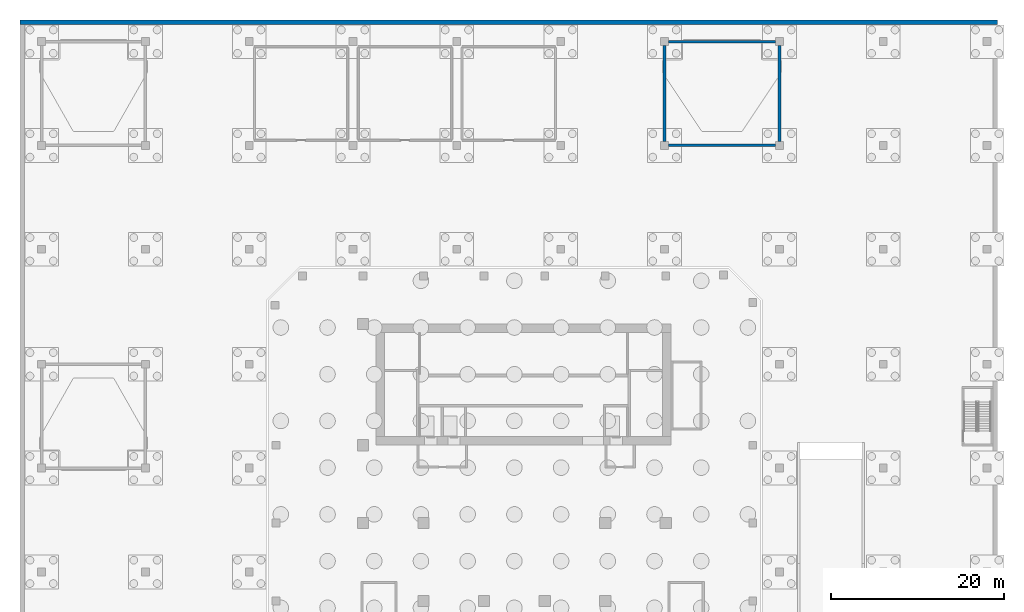
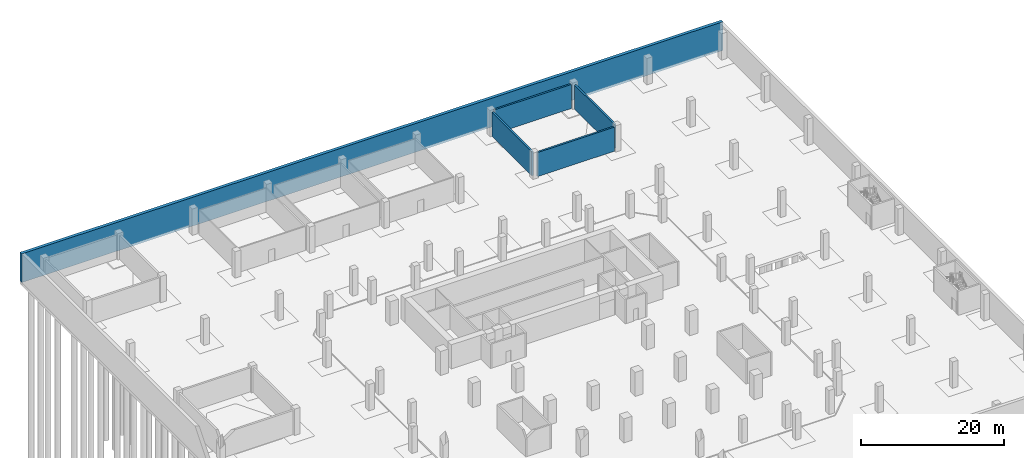
# One storey, part 12 of 15: 5 walls.
"""IFC4 building model written with IfcOpenShell, lengths in metres."""

from ifc_helpers import new_model, si_unit, direction, frame, frame_2d, origin, place, context, subcontext, project, spatial, rectangle, extrude, source, transform, mapped, material, layer, layer_set, type_object, element, save


model = new_model("IFC4")

# Units and contexts
model_context = context("Model", 3, precision=1e-05, world=origin(), true_north=direction((0.0, 1.0)))
body_context = subcontext(model_context, "Body", "Model", "MODEL_VIEW")
ifc_project = project(units=[si_unit("LENGTHUNIT", "METRE"), si_unit("AREAUNIT", "SQUARE_METRE"), si_unit("VOLUMEUNIT", "CUBIC_METRE"), si_unit("PLANEANGLEUNIT", "RADIAN"), si_unit("MASSUNIT", "GRAM", prefix="KILO")], contexts=[model_context])

# Site, building, storey
site_placement = place(None, origin())
site = spatial("IfcSite", under=ifc_project, at=site_placement, CompositionType="ELEMENT")
building_placement = place(site_placement, origin())
building = spatial("IfcBuilding", under=site, at=building_placement, Name="Kilnfold Tower and Market Hall", CompositionType="ELEMENT")
storey_placement = place(building_placement, frame((0.0, 0.0, -9.0)))
storey = spatial("IfcBuildingStorey", under=building, at=storey_placement, Name="B2", CompositionType="ELEMENT", Elevation=-9.0)

# Walls
ifc_material_1 = material(Name="Concrete C50/60", Category="concrete")
ifc_layer_1 = layer(ifc_material_1, 0.300048828125)
ifc_layer_set_1 = layer_set([ifc_layer_1], Name="Concrete C50/60")
wall_type_1 = type_object("IfcWallType", Name="HALL CORE WALL 300", PredefinedType="SHEAR", material=ifc_layer_set_1)
shared_shape_1 = source(origin(), body_context, "Body", "SweptSolid", [
    extrude(rectangle(XDim=11.099853515625, YDim=0.300048828125, at=frame_2d((5.5498046875, 0.0))), origin(), (0.0, 0.0, 1.0), 4.10009765625),
])
for number, where, z_axis, x_axis, name in (
    (1, (30.64990234375, 54.199951171875, 0.0), (0.0, 0.0, 1.0), (0.0, -1.0, 0.0), "Core wall MH3"),
    (2, (17.35009765625, 54.199951171875, 0.0), (0.0, 0.0, 1.0), (0.0, -1.0, 0.0), "Core wall MH3"),
):
    element("IfcWall", number, at=place(storey_placement, frame(where, z_axis=z_axis, x_axis=x_axis)), inside=storey, type_object=wall_type_1, Name=name, PredefinedType="SHEAR", context=body_context, shape_type="MappedRepresentation", body=[
        mapped(shared_shape_1, transform((0.0, 0.0, 0.0))),
    ])
shared_shape_2 = source(origin(), body_context, "Body", "SweptSolid", [
    extrude(rectangle(XDim=12.39990234375, YDim=0.300048828125, at=frame_2d((6.199951171875, 0.0))), origin(), (0.0, 0.0, 1.0), 4.10009765625),
])
for number, where, z_axis, x_axis, name in (
    (3, (30.199951171875, 54.64990234375, 0.0), (0.0, 0.0, 1.0), (-1.0, 0.0, 0.0), "Core wall MH3"),
    (4, (30.199951171875, 42.64990234375, 0.0), (0.0, 0.0, 1.0), (-1.0, 0.0, 0.0), "Core wall MH3"),
):
    element("IfcWall", number, at=place(storey_placement, frame(where, z_axis=z_axis, x_axis=x_axis)), inside=storey, type_object=wall_type_1, Name=name, PredefinedType="SHEAR", context=body_context, shape_type="MappedRepresentation", body=[
        mapped(shared_shape_2, transform((0.0, 0.0, 0.0))),
    ])
ifc_material_2 = material(Name="Concrete C40/50", Category="concrete")
ifc_layer_2 = layer(ifc_material_2, 0.5)
ifc_layer_set_2 = layer_set([ifc_layer_2], Name="Concrete C40/50")
wall_type_2 = type_object("IfcWallType", Name="BASEMENT RETAINING WALL 500", PredefinedType="SOLIDWALL", material=ifc_layer_set_2)
shared_shape_3 = source(origin(), body_context, "Body", "SweptSolid", [
    extrude(rectangle(XDim=113.0, YDim=0.5, at=frame_2d((56.5, 0.0))), origin(), (0.0, 0.0, 1.0), 4.89990234375),
])
wall_placement = place(storey_placement, frame((-57.14990234375, 56.89990234375, -0.39990234375), z_axis=(0.0, 0.0, 1.0), x_axis=(1.0, 0.0, 0.0)))
element("IfcWall", 5, at=wall_placement, inside=storey, type_object=wall_type_2, Name="Retaining wall B2 north", PredefinedType="SOLIDWALL", context=body_context, shape_type="MappedRepresentation", body=[
    mapped(shared_shape_3, transform((0.0, 0.0, 0.0))),
])

save(model, "model.ifc")
